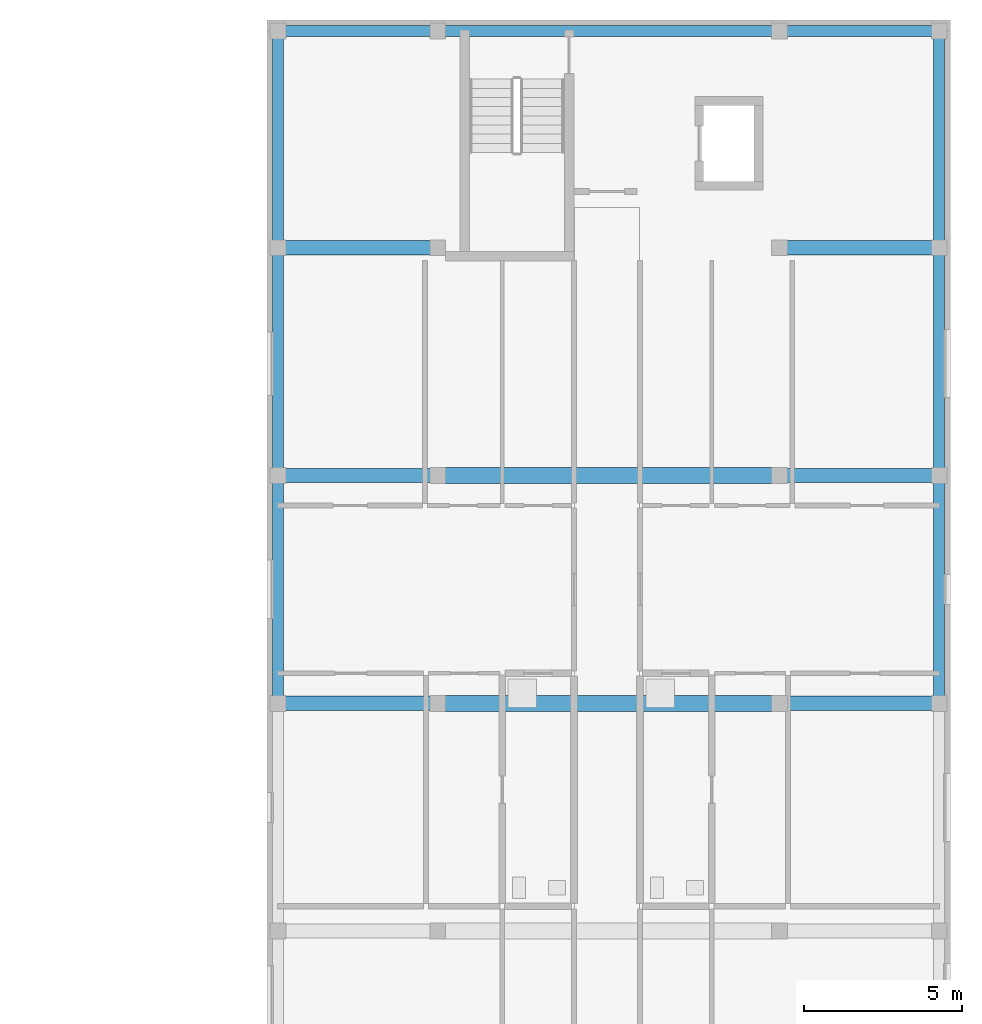
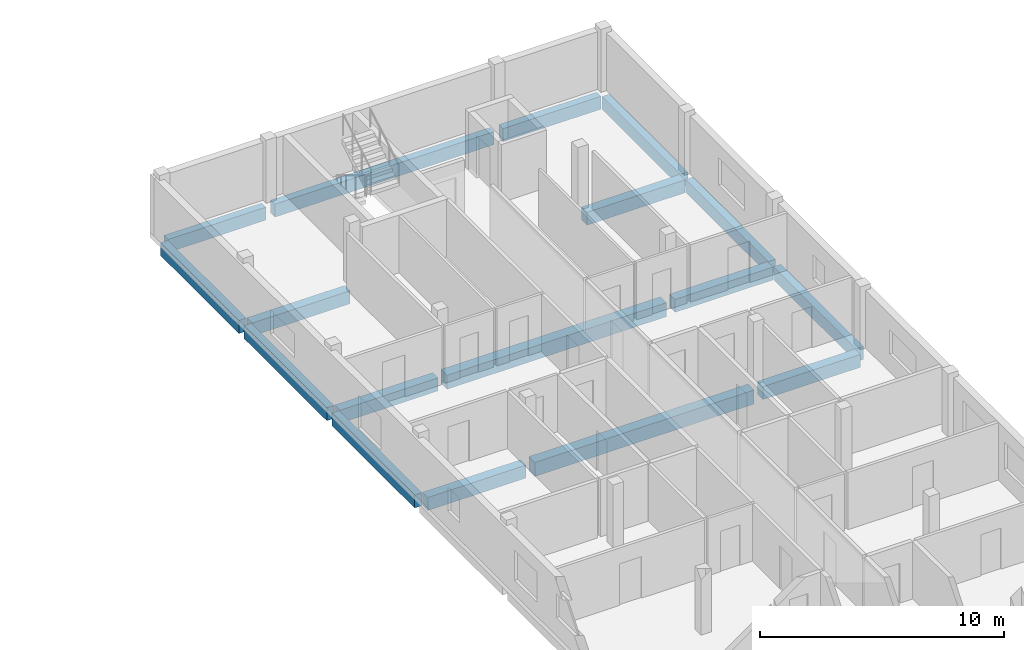
# One storey, part 8 of 28: 17 beams.
"""IFC4 building model written with IfcOpenShell, lengths in metres."""

from ifc_helpers import new_model, si_unit, derived_unit, direction, frame, origin, origin_2d, place, context, subcontext, project, spatial, rectangle, extrude, material, material_profile, profile_set, type_object, element, save


model = new_model("IFC4")

# Units and contexts
model_context = context("Model", 3, precision=1e-05, world=origin(), true_north=direction((0.0, 1.0)))
body_context = subcontext(model_context, "Body", "Model", "MODEL_VIEW")
ifc_project = project(units=[si_unit("LENGTHUNIT", "METRE"), si_unit("AREAUNIT", "SQUARE_METRE"), si_unit("VOLUMEUNIT", "CUBIC_METRE"), si_unit("PLANEANGLEUNIT", "RADIAN"), si_unit("MASSUNIT", "GRAM", prefix="KILO"), derived_unit("THERMALTRANSMITTANCEUNIT", [(si_unit("MASSUNIT", "GRAM", prefix="KILO"), 1), (si_unit("TIMEUNIT", "SECOND"), -3), (si_unit("THERMODYNAMICTEMPERATUREUNIT", "KELVIN"), -1)])], contexts=[model_context])

# Site, building, storey
site_placement = place(None, origin())
site = spatial("IfcSite", under=ifc_project, at=site_placement, CompositionType="ELEMENT")
building_placement = place(site_placement, origin())
building = spatial("IfcBuilding", under=site, at=building_placement, Name="Ochrekiln Boulevard Commons", CompositionType="ELEMENT")
storey_placement = place(building_placement, frame((0.0, 0.0, 34.125)))
storey = spatial("IfcBuildingStorey", under=building, at=storey_placement, Name="L10", CompositionType="ELEMENT", Elevation=34.125)

# Beams
ifc_material_1 = material(Name="Concrete C35/45", Category="concrete")
ifc_material_profile_1 = material_profile(ifc_material_1, rectangle(XDim=0.449951171875, YDim=0.64990234375, at=origin_2d()), Name="RC-BM-450x650")
ifc_profile_set_1 = profile_set([ifc_material_profile_1], Name="Concrete C35/45")
beam_type_1 = type_object("IfcBeamType", Name="BM-RC-450x650", PredefinedType="BEAM", material=ifc_profile_set_1)
for number, where, z_axis, x_axis, name in (
    (1, (151.760009765625, 97.199951171875, -0.574951171875), (1.0, 0.0, 0.0), (0.0, 1.0, 0.0), "Block B L10 Beam B-4565 X12"),
    (2, (167.610107421875, 97.199951171875, -0.574951171875), (1.0, 0.0, 0.0), (0.0, 1.0, 0.0), "Block B L10 Beam B-4565 X14"),
    (3, (151.760009765625, 104.39990234375, -0.574951171875), (1.0, 0.0, 0.0), (0.0, 1.0, 0.0), "Block B L10 Beam B-4565 X15"),
    (4, (167.610107421875, 104.39990234375, -0.574951171875), (1.0, 0.0, 0.0), (0.0, 1.0, 0.0), "Block B L10 Beam B-4565 X17"),
    (5, (151.760009765625, 111.60009765625, -0.574951171875), (1.0, 0.0, 0.0), (0.0, 1.0, 0.0), "Block B L10 Beam B-4565 X18"),
    (6, (167.610107421875, 111.60009765625, -0.574951171875), (1.0, 0.0, 0.0), (0.0, 1.0, 0.0), "Block B L10 Beam B-4565 X19"),
):
    element("IfcBeam", number, at=place(storey_placement, frame(where, z_axis=z_axis, x_axis=x_axis)), inside=storey, type_object=beam_type_1, Name=name, PredefinedType="BEAM", context=body_context, shape_type="SweptSolid", body=[
        extrude(rectangle(XDim=0.449951171875, YDim=0.64990234375, at=origin_2d()), origin(), (0.0, 0.0, 1.0), 4.6298828125),
    ])
ifc_material_2 = material(Name="Concrete C40/50", Category="concrete")
ifc_material_profile_2 = material_profile(ifc_material_2, rectangle(XDim=0.5, YDim=0.699951171875, at=origin_2d()), Name="RC-BM-500x700")
ifc_profile_set_2 = profile_set([ifc_material_profile_2], Name="Concrete C40/50")
beam_type_2 = type_object("IfcBeamType", Name="BM-RC-500x700", PredefinedType="BEAM", material=ifc_profile_set_2)
for number, where, z_axis, x_axis, name in (
    (7, (156.81005859375, 97.199951171875, -0.60009765625), (1.0, 0.0, 0.0), (0.0, 1.0, 0.0), "Block B L10 Beam B-5070 X13"),
    (8, (156.81005859375, 104.39990234375, -0.60009765625), (1.0, 0.0, 0.0), (0.0, 1.0, 0.0), "Block B L10 Beam B-5070 X16"),
):
    element("IfcBeam", number, at=place(storey_placement, frame(where, z_axis=z_axis, x_axis=x_axis)), inside=storey, type_object=beam_type_2, Name=name, PredefinedType="BEAM", context=body_context, shape_type="SweptSolid", body=[
        extrude(rectangle(XDim=0.5, YDim=0.699951171875, at=origin_2d()), origin(), (0.0, 0.0, 1.0), 10.3798828125),
    ])
ifc_material_profile_3 = material_profile(ifc_material_2, rectangle(XDim=0.35009765625, YDim=0.64990234375, at=origin_2d()), Name="RC-SPN-350x650")
ifc_profile_set_3 = profile_set([ifc_material_profile_3], Name="Concrete C40/50")
beam_type_3 = type_object("IfcBeamType", Name="SPN-RC-350x650", PredefinedType="SPANDREL", material=ifc_profile_set_3)
beam_1_placement = place(storey_placement, frame((151.760009765625, 118.449951171875, -0.574951171875), z_axis=(1.0, 0.0, 0.0), x_axis=(0.0, 1.0, 0.0)))
element("IfcBeam", 9, at=beam_1_placement, inside=storey, type_object=beam_type_3, Name="Block B L10 Beam SP-3565 X20", PredefinedType="SPANDREL", context=body_context, shape_type="SweptSolid", body=[
    extrude(rectangle(XDim=0.35009765625, YDim=0.64990234375, at=origin_2d()), origin(), (0.0, 0.0, 1.0), 4.6298828125),
])
beam_2_placement = place(storey_placement, frame((156.81005859375, 118.449951171875, -0.574951171875), z_axis=(1.0, 0.0, 0.0), x_axis=(0.0, 1.0, 0.0)))
element("IfcBeam", 10, at=beam_2_placement, inside=storey, type_object=beam_type_3, Name="Block B L10 Beam SP-3565 X21", PredefinedType="SPANDREL", context=body_context, shape_type="SweptSolid", body=[
    extrude(rectangle(XDim=0.35009765625, YDim=0.64990234375, at=origin_2d()), origin(), (0.0, 0.0, 1.0), 10.3798828125),
])
beam_3_placement = place(storey_placement, frame((167.610107421875, 118.449951171875, -0.574951171875), z_axis=(1.0, 0.0, 0.0), x_axis=(0.0, 1.0, 0.0)))
element("IfcBeam", 11, at=beam_3_placement, inside=storey, type_object=beam_type_3, Name="Block B L10 Beam SP-3565 X22", PredefinedType="SPANDREL", context=body_context, shape_type="SweptSolid", body=[
    extrude(rectangle(XDim=0.35009765625, YDim=0.64990234375, at=origin_2d()), origin(), (0.0, 0.0, 1.0), 4.6298828125),
])
beam_4_placement = place(storey_placement, frame((151.550048828125, 97.409912109375, -0.574951171875), z_axis=(0.0, 1.0, 0.0), x_axis=(-1.0, 0.0, 0.0)))
element("IfcBeam", 12, at=beam_4_placement, inside=storey, type_object=beam_type_3, Name="Block B L10 Beam SP-3565 Y27", PredefinedType="SPANDREL", context=body_context, shape_type="SweptSolid", body=[
    extrude(rectangle(XDim=0.35009765625, YDim=0.64990234375, at=origin_2d()), origin(), (0.0, 0.0, 1.0), 6.780029296875),
])
beam_5_placement = place(storey_placement, frame((151.550048828125, 104.610107421875, -0.574951171875), z_axis=(0.0, 1.0, 0.0), x_axis=(-1.0, 0.0, 0.0)))
element("IfcBeam", 13, at=beam_5_placement, inside=storey, type_object=beam_type_3, Name="Block B L10 Beam SP-3565 Y28", PredefinedType="SPANDREL", context=body_context, shape_type="SweptSolid", body=[
    extrude(rectangle(XDim=0.35009765625, YDim=0.64990234375, at=origin_2d()), origin(), (0.0, 0.0, 1.0), 6.77978515625),
])
beam_6_placement = place(storey_placement, frame((151.550048828125, 111.81005859375, -0.574951171875), z_axis=(0.0, 1.0, 0.0), x_axis=(-1.0, 0.0, 0.0)))
element("IfcBeam", 14, at=beam_6_placement, inside=storey, type_object=beam_type_3, Name="Block B L10 Beam SP-3565 Y29", PredefinedType="SPANDREL", context=body_context, shape_type="SweptSolid", body=[
    extrude(rectangle(XDim=0.35009765625, YDim=0.64990234375, at=origin_2d()), origin(), (0.0, 0.0, 1.0), 6.429931640625),
])
beam_7_placement = place(storey_placement, frame((172.449951171875, 97.409912109375, -0.574951171875), z_axis=(0.0, 1.0, 0.0), x_axis=(-1.0, 0.0, 0.0)))
element("IfcBeam", 15, at=beam_7_placement, inside=storey, type_object=beam_type_3, Name="Block B L10 Beam SP-3565 Y34", PredefinedType="SPANDREL", context=body_context, shape_type="SweptSolid", body=[
    extrude(rectangle(XDim=0.35009765625, YDim=0.64990234375, at=origin_2d()), origin(), (0.0, 0.0, 1.0), 6.780029296875),
])
beam_8_placement = place(storey_placement, frame((172.449951171875, 104.610107421875, -0.574951171875), z_axis=(0.0, 1.0, 0.0), x_axis=(-1.0, 0.0, 0.0)))
element("IfcBeam", 16, at=beam_8_placement, inside=storey, type_object=beam_type_3, Name="Block B L10 Beam SP-3565 Y35", PredefinedType="SPANDREL", context=body_context, shape_type="SweptSolid", body=[
    extrude(rectangle(XDim=0.35009765625, YDim=0.64990234375, at=origin_2d()), origin(), (0.0, 0.0, 1.0), 6.77978515625),
])
beam_9_placement = place(storey_placement, frame((172.449951171875, 111.81005859375, -0.574951171875), z_axis=(0.0, 1.0, 0.0), x_axis=(-1.0, 0.0, 0.0)))
element("IfcBeam", 17, at=beam_9_placement, inside=storey, type_object=beam_type_3, Name="Block B L10 Beam SP-3565 Y36", PredefinedType="SPANDREL", context=body_context, shape_type="SweptSolid", body=[
    extrude(rectangle(XDim=0.35009765625, YDim=0.64990234375, at=origin_2d()), origin(), (0.0, 0.0, 1.0), 6.429931640625),
])

save(model, "model.ifc")
